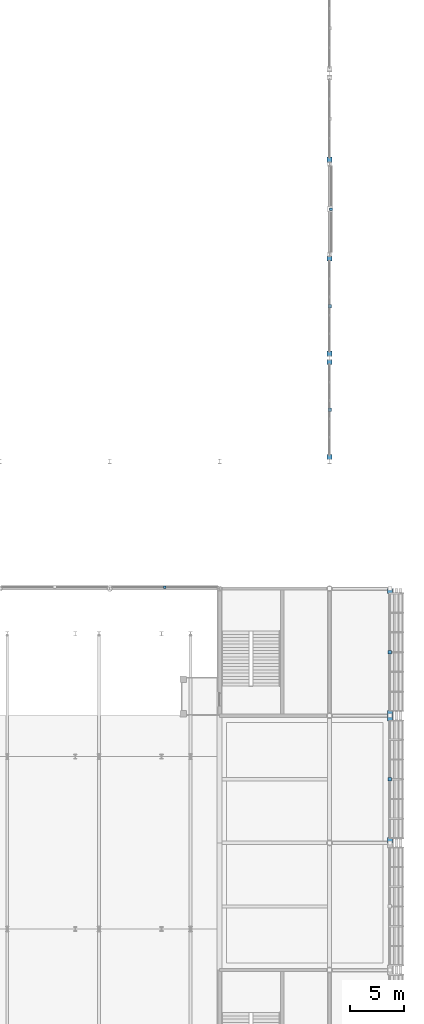
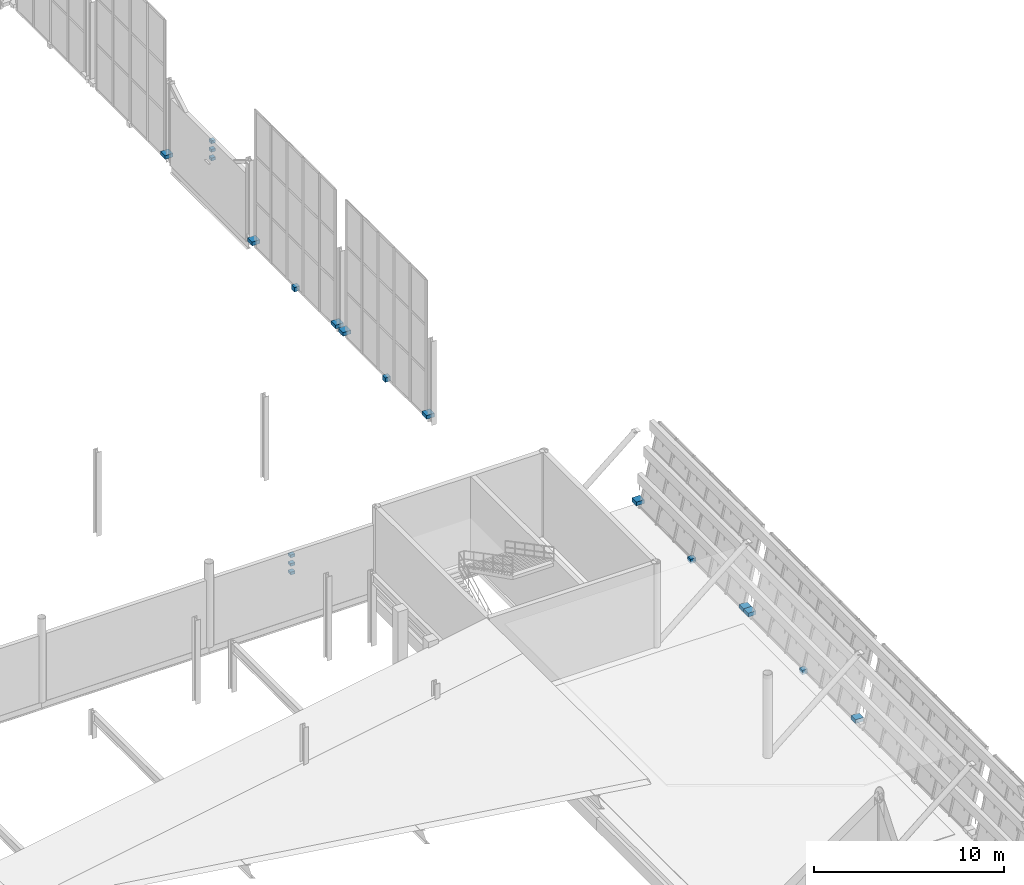
# One storey, part 149 of 175: 19 discrete accessories.
"""IFC4 building model written with IfcOpenShell, lengths in metres."""

from ifc_helpers import new_model, si_unit, direction, frame, origin, origin_2d, place, context, subcontext, project, spatial, rectangle, extrude, material, type_object, element, save


model = new_model("IFC4")

# Units and contexts
model_context = context("Model", 3, precision=1e-05, world=origin(), true_north=direction((0.0, 1.0)))
body_context = subcontext(model_context, "Body", "Model", "MODEL_VIEW")
ifc_project = project(units=[si_unit("LENGTHUNIT", "METRE"), si_unit("AREAUNIT", "SQUARE_METRE"), si_unit("VOLUMEUNIT", "CUBIC_METRE"), si_unit("PLANEANGLEUNIT", "RADIAN"), si_unit("MASSUNIT", "GRAM", prefix="KILO")], contexts=[model_context])

# Site, building, storey
site_placement = place(None, origin())
site = spatial("IfcSite", under=ifc_project, at=site_placement, CompositionType="ELEMENT")
building_placement = place(site_placement, origin())
building = spatial("IfcBuilding", under=site, at=building_placement, Name="Brelvane Convention Centre", CompositionType="ELEMENT")
storey_placement = place(building_placement, frame((0.0, 0.0, 5.39990234375)))
storey = spatial("IfcBuildingStorey", under=building, at=storey_placement, Name="L01", CompositionType="ELEMENT", Elevation=5.39990234375)

# Discrete accessories
ifc_material_1 = material(Name="Steel E350 (350 MPa)", Category="steel")
discrete_accessory_type_1 = type_object("IfcDiscreteAccessoryType", Name="Facade Outrigger Bracket BRK-01", PredefinedType="BRACKET", material=ifc_material_1)
for number, where, z_axis, x_axis, name in (
    (1, (209.10009765625, 87.925048828125, 3.8701171875), (0.0, 0.0, 1.0), (1.0, 0.0, 0.0), "Copper Band Support Bracket L01-V2N-L01-5-1"),
    (2, (209.10009765625, 87.925048828125, 3.3203125), (0.0, 0.0, 1.0), (1.0, 0.0, 0.0), "Copper Band Support Bracket L01-V2N-L01-5-2"),
    (3, (209.10009765625, 87.925048828125, 2.77001953125), (0.0, 0.0, 1.0), (1.0, 0.0, 0.0), "Copper Band Support Bracket L01-V2N-L01-5-3"),
    (4, (224.52490234375, 123.0, 3.8701171875), (0.0, 0.0, 1.0), (1.0, 0.0, 0.0), "Copper Band Support Bracket L01-V3E-L01-3-1"),
    (5, (224.52490234375, 123.0, 3.3203125), (0.0, 0.0, 1.0), (1.0, 0.0, 0.0), "Copper Band Support Bracket L01-V3E-L01-3-2"),
    (6, (224.52490234375, 123.0, 2.77001953125), (0.0, 0.0, 1.0), (1.0, 0.0, 0.0), "Copper Band Support Bracket L01-V3E-L01-3-3"),
):
    element("IfcDiscreteAccessory", number, at=place(storey_placement, frame(where, z_axis=z_axis, x_axis=x_axis)), inside=storey, type_object=discrete_accessory_type_1, Name=name, PredefinedType="BRACKET", context=body_context, shape_type="SweptSolid", body=[
        extrude(rectangle(XDim=0.260009765625, YDim=0.260009765625, at=origin_2d()), origin(), (0.0, 0.0, 1.0), 0.179931640625),
    ])
ifc_material_2 = material(Name="Steel E350 (350 MPa)", Category="steel")
discrete_accessory_type_2 = type_object("IfcDiscreteAccessoryType", Name="Facade Outrigger Bracket BRK-02", PredefinedType="BRACKET", material=ifc_material_2)
for number, where, z_axis, x_axis, name in (
    (7, (230.0, 64.43994140625, 0.22998046875), (0.0, 0.0, 1.0), (1.0, 0.0, 0.0), "Curtain Wall Anchor Bracket L01-HULL-E-L01-5-L"),
    (8, (230.0, 75.760009765625, 0.22998046875), (0.0, 0.0, 1.0), (1.0, 0.0, 0.0), "Curtain Wall Anchor Bracket L01-HULL-E-L01-5-R"),
):
    element("IfcDiscreteAccessory", number, at=place(storey_placement, frame(where, z_axis=z_axis, x_axis=x_axis)), inside=storey, type_object=discrete_accessory_type_2, Name=name, PredefinedType="BRACKET", context=body_context, shape_type="SweptSolid", body=[
        extrude(rectangle(XDim=0.47998046875, YDim=0.47998046875, at=origin_2d()), origin(), (0.0, 0.0, 1.0), 0.239990234375),
    ])
discrete_accessory_1_placement = place(storey_placement, frame((230.0, 70.10009765625, -0.14013671875), z_axis=(0.0, 0.0, 1.0), x_axis=(1.0, 0.0, 0.0)))
element("IfcDiscreteAccessory", 9, at=discrete_accessory_1_placement, inside=storey, type_object=discrete_accessory_type_2, Name="Curtain Wall Anchor Bracket L01-HULL-E-L01-5-B", PredefinedType="BRACKET", context=body_context, shape_type="SweptSolid", body=[
    extrude(rectangle(XDim=0.320068359375, YDim=0.320068359375, at=origin_2d()), origin(), (0.0, 0.0, 1.0), 0.280029296875),
])
for number, where, z_axis, x_axis, name in (
    (10, (230.0, 76.239990234375, 0.22998046875), (0.0, 0.0, 1.0), (1.0, 0.0, 0.0), "Curtain Wall Anchor Bracket L01-HULL-E-L01-6-L"),
    (11, (230.0, 87.56005859375, 0.22998046875), (0.0, 0.0, 1.0), (1.0, 0.0, 0.0), "Curtain Wall Anchor Bracket L01-HULL-E-L01-6-R"),
):
    element("IfcDiscreteAccessory", number, at=place(storey_placement, frame(where, z_axis=z_axis, x_axis=x_axis)), inside=storey, type_object=discrete_accessory_type_2, Name=name, PredefinedType="BRACKET", context=body_context, shape_type="SweptSolid", body=[
        extrude(rectangle(XDim=0.47998046875, YDim=0.47998046875, at=origin_2d()), origin(), (0.0, 0.0, 1.0), 0.239990234375),
    ])
discrete_accessory_2_placement = place(storey_placement, frame((230.0, 81.89990234375, -0.14013671875), z_axis=(0.0, 0.0, 1.0), x_axis=(1.0, 0.0, 0.0)))
element("IfcDiscreteAccessory", 12, at=discrete_accessory_2_placement, inside=storey, type_object=discrete_accessory_type_2, Name="Curtain Wall Anchor Bracket L01-HULL-E-L01-6-B", PredefinedType="BRACKET", context=body_context, shape_type="SweptSolid", body=[
    extrude(rectangle(XDim=0.320068359375, YDim=0.320068359375, at=origin_2d()), origin(), (0.0, 0.0, 1.0), 0.280029296875),
])
for number, where, z_axis, x_axis, name in (
    (13, (224.39990234375, 99.989990234375, 0.22998046875), (0.0, 0.0, 1.0), (1.0, 0.0, 0.0), "Curtain Wall Anchor Bracket L01-V3E-CW-L01-1-L"),
    (14, (224.39990234375, 108.81005859375, 0.22998046875), (0.0, 0.0, 1.0), (1.0, 0.0, 0.0), "Curtain Wall Anchor Bracket L01-V3E-CW-L01-1-R"),
):
    element("IfcDiscreteAccessory", number, at=place(storey_placement, frame(where, z_axis=z_axis, x_axis=x_axis)), inside=storey, type_object=discrete_accessory_type_2, Name=name, PredefinedType="BRACKET", context=body_context, shape_type="SweptSolid", body=[
        extrude(rectangle(XDim=0.47998046875, YDim=0.47998046875, at=origin_2d()), origin(), (0.0, 0.0, 1.0), 0.239990234375),
    ])
discrete_accessory_3_placement = place(storey_placement, frame((224.39990234375, 104.39990234375, -0.14013671875), z_axis=(0.0, 0.0, 1.0), x_axis=(1.0, 0.0, 0.0)))
element("IfcDiscreteAccessory", 15, at=discrete_accessory_3_placement, inside=storey, type_object=discrete_accessory_type_2, Name="Curtain Wall Anchor Bracket L01-V3E-CW-L01-1-B", PredefinedType="BRACKET", context=body_context, shape_type="SweptSolid", body=[
    extrude(rectangle(XDim=0.320068359375, YDim=0.320068359375, at=origin_2d()), origin(), (0.0, 0.0, 1.0), 0.280029296875),
])
for number, where, z_axis, x_axis, name in (
    (16, (224.39990234375, 109.590087890625, 0.22998046875), (0.0, 0.0, 1.0), (1.0, 0.0, 0.0), "Curtain Wall Anchor Bracket L01-V3E-CW-L01-2-L"),
    (17, (224.39990234375, 118.409912109375, 0.22998046875), (0.0, 0.0, 1.0), (1.0, 0.0, 0.0), "Curtain Wall Anchor Bracket L01-V3E-CW-L01-2-R"),
):
    element("IfcDiscreteAccessory", number, at=place(storey_placement, frame(where, z_axis=z_axis, x_axis=x_axis)), inside=storey, type_object=discrete_accessory_type_2, Name=name, PredefinedType="BRACKET", context=body_context, shape_type="SweptSolid", body=[
        extrude(rectangle(XDim=0.47998046875, YDim=0.47998046875, at=origin_2d()), origin(), (0.0, 0.0, 1.0), 0.239990234375),
    ])
discrete_accessory_4_placement = place(storey_placement, frame((224.39990234375, 114.0, -0.14013671875), z_axis=(0.0, 0.0, 1.0), x_axis=(1.0, 0.0, 0.0)))
element("IfcDiscreteAccessory", 18, at=discrete_accessory_4_placement, inside=storey, type_object=discrete_accessory_type_2, Name="Curtain Wall Anchor Bracket L01-V3E-CW-L01-2-B", PredefinedType="BRACKET", context=body_context, shape_type="SweptSolid", body=[
    extrude(rectangle(XDim=0.320068359375, YDim=0.320068359375, at=origin_2d()), origin(), (0.0, 0.0, 1.0), 0.280029296875),
])
discrete_accessory_5_placement = place(storey_placement, frame((224.39990234375, 127.590087890625, 0.22998046875), z_axis=(0.0, 0.0, 1.0), x_axis=(1.0, 0.0, 0.0)))
element("IfcDiscreteAccessory", 19, at=discrete_accessory_5_placement, inside=storey, type_object=discrete_accessory_type_2, Name="Curtain Wall Anchor Bracket L01-V3E-CW-L01-4-L", PredefinedType="BRACKET", context=body_context, shape_type="SweptSolid", body=[
    extrude(rectangle(XDim=0.47998046875, YDim=0.47998046875, at=origin_2d()), origin(), (0.0, 0.0, 1.0), 0.239990234375),
])

save(model, "model.ifc")
